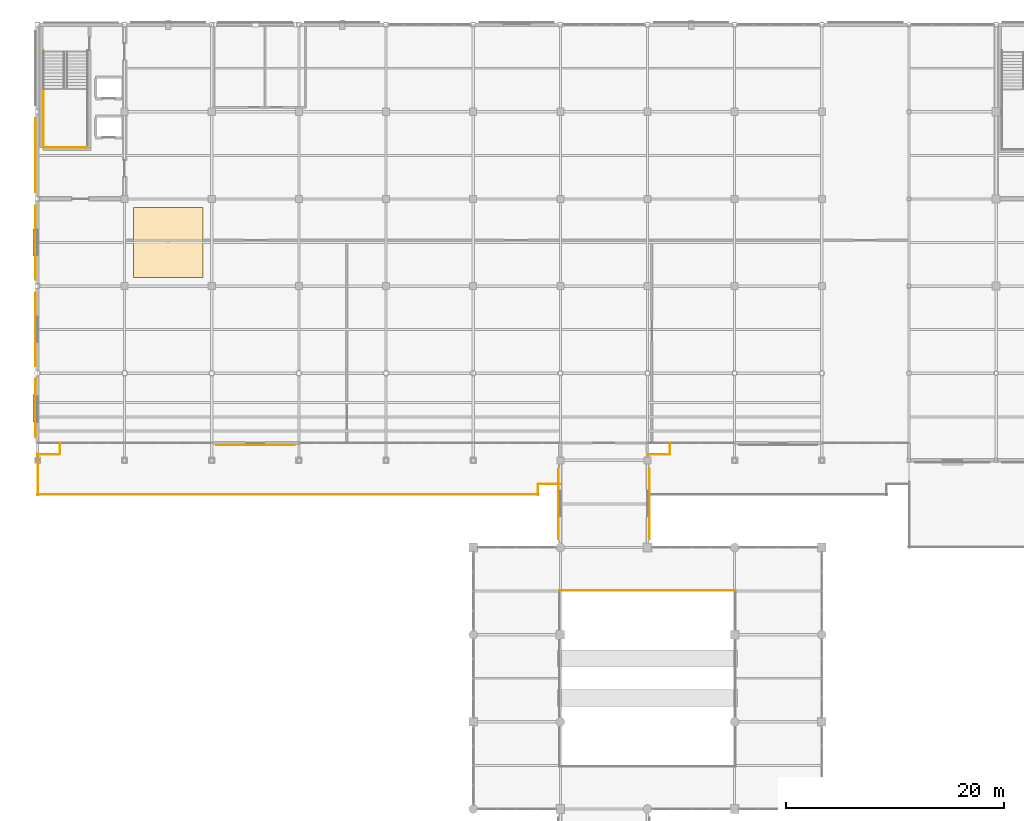
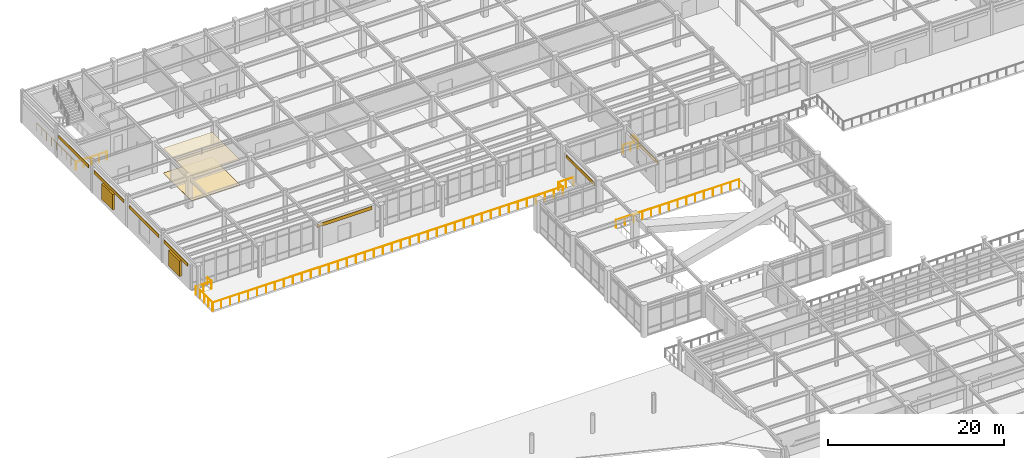
# One storey, part 104 of 111: 11 railings, 9 coverings, 2 shading devices.
"""IFC4 building model written with IfcOpenShell, lengths in metres."""

from ifc_helpers import new_model, si_unit, direction, frame, origin, origin_2d, place, context, subcontext, project, spatial, polyline, rectangle, circle, outline, extrude, material, layer, layer_set, type_object, element, save


model = new_model("IFC4")

# Units and contexts
model_context = context("Model", 3, precision=1e-05, world=origin(), true_north=direction((0.0, 1.0)))
body_context = subcontext(model_context, "Body", "Model", "MODEL_VIEW")
ifc_project = project(units=[si_unit("LENGTHUNIT", "METRE"), si_unit("AREAUNIT", "SQUARE_METRE"), si_unit("VOLUMEUNIT", "CUBIC_METRE"), si_unit("PLANEANGLEUNIT", "RADIAN"), si_unit("MASSUNIT", "GRAM", prefix="KILO")], contexts=[model_context])

# Site, building, storey
site_placement = place(None, origin())
site = spatial("IfcSite", under=ifc_project, at=site_placement, CompositionType="ELEMENT")
building_placement = place(site_placement, origin())
building = spatial("IfcBuilding", under=site, at=building_placement, Name="Solmirada Galleria", CompositionType="ELEMENT")
storey_placement = place(building_placement, frame((0.0, 0.0, 10.39990234375)))
storey = spatial("IfcBuildingStorey", under=building, at=storey_placement, Name="L02", CompositionType="ELEMENT", Elevation=10.39990234375)

# Coverings
ifc_material_1 = material(Name="Perforated acoustic mineral-fibre ceiling")
ifc_layer_1 = layer(ifc_material_1, 0.02490234375)
ifc_layer_set_1 = layer_set([ifc_layer_1], Name="Perforated acoustic mineral-fibre ceiling")
covering_type_1 = type_object("IfcCoveringType", Name="COV-CEIL-ACOUST", PredefinedType="CEILING", material=ifc_layer_set_1)
covering_1_placement = place(storey_placement, frame((0.0, 0.0, 3.4501953125)))
element("IfcCovering", 1, at=covering_1_placement, inside=storey, type_object=covering_type_1, Name="Acoustic ceiling panel L02-1", PredefinedType="CEILING", context=body_context, shape_type="SweptSolid", body=[
    extrude(outline(polyline([(48.800048828125, 96.800048828125), (55.199951171875, 96.800048828125), (55.199951171875, 103.199951171875), (48.800048828125, 103.199951171875), (48.800048828125, 96.800048828125)])), origin(), (0.0, 0.0, 1.0), 0.02490234375),
])
ifc_material_2 = material(Name="Limestone cladding panels", Category="masonry")
ifc_layer_2 = layer(ifc_material_2, 0.044921875)
ifc_layer_set_2 = layer_set([ifc_layer_2], Name="Limestone cladding panels")
covering_type_2 = type_object("IfcCoveringType", Name="COV-CLAD-LIME", PredefinedType="CLADDING", material=ifc_layer_set_2)
covering_2_placement = place(storey_placement, frame((87.822509765625, 76.0, 2.990234375), z_axis=(0.0, 0.0, 1.0), x_axis=(0.0, 1.0, 0.0)))
element("IfcCovering", 2, at=covering_2_placement, inside=storey, type_object=covering_type_2, Name="Postmodern facade cladding L02-142", PredefinedType="CLADDING", context=body_context, shape_type="SweptSolid", body=[
    extrude(rectangle(XDim=6.47509765625, YDim=0.044921875, at=origin_2d()), origin(), (0.0, 0.0, 1.0), 0.4599609375),
])
covering_3_placement = place(storey_placement, frame((39.822509765625, 84.800048828125, 2.990234375), z_axis=(0.0, 0.0, 1.0), x_axis=(0.0, 1.0, 0.0)))
element("IfcCovering", 3, at=covering_3_placement, inside=storey, type_object=covering_type_2, Name="Postmodern facade cladding L02-144", PredefinedType="CLADDING", context=body_context, shape_type="SweptSolid", body=[
    extrude(rectangle(XDim=5.345947265625, YDim=0.044921875, at=origin_2d()), origin(), (0.0, 0.0, 1.0), 0.4599609375),
])
covering_4_placement = place(storey_placement, frame((39.822509765625, 100.0, 2.990234375), z_axis=(0.0, 0.0, 1.0), x_axis=(0.0, 1.0, 0.0)))
element("IfcCovering", 4, at=covering_4_placement, inside=storey, type_object=covering_type_2, Name="Postmodern facade cladding L02-146", PredefinedType="CLADDING", context=body_context, shape_type="SweptSolid", body=[
    extrude(rectangle(XDim=6.7939453125, YDim=0.044921875, at=origin_2d()), origin(), (0.0, 0.0, 1.0), 0.4599609375),
])
ifc_material_3 = material(Name="Glazed terracotta facade panels", Category="masonry")
ifc_layer_3 = layer(ifc_material_3, 0.0400390625)
ifc_layer_set_3 = layer_set([ifc_layer_3], Name="Glazed terracotta facade panels")
covering_type_3 = type_object("IfcCoveringType", Name="COV-CLAD-TERRA", PredefinedType="CLADDING", material=ifc_layer_set_3)
covering_5_placement = place(storey_placement, frame((60.0, 81.425048828125, 2.990234375), z_axis=(0.0, 0.0, 1.0), x_axis=(-1.0, 0.0, 0.0)))
element("IfcCovering", 5, at=covering_5_placement, inside=storey, type_object=covering_type_3, Name="Postmodern facade cladding L02-143", PredefinedType="CLADDING", context=body_context, shape_type="SweptSolid", body=[
    extrude(rectangle(XDim=7.199951171875, YDim=0.0400390625, at=origin_2d()), origin(), (0.0, 0.0, 1.0), 0.4599609375),
])
covering_6_placement = place(storey_placement, frame((39.824951171875, 92.0, 2.990234375), z_axis=(0.0, 0.0, 1.0), x_axis=(0.0, 1.0, 0.0)))
element("IfcCovering", 6, at=covering_6_placement, inside=storey, type_object=covering_type_3, Name="Postmodern facade cladding L02-145", PredefinedType="CLADDING", context=body_context, shape_type="SweptSolid", body=[
    extrude(rectangle(XDim=6.742919921875, YDim=0.0400390625, at=origin_2d()), origin(), (0.0, 0.0, 1.0), 0.4599609375),
])
covering_7_placement = place(storey_placement, frame((39.824951171875, 108.0, 2.990234375), z_axis=(0.0, 0.0, 1.0), x_axis=(0.0, 1.0, 0.0)))
element("IfcCovering", 7, at=covering_7_placement, inside=storey, type_object=covering_type_3, Name="Postmodern facade cladding L02-147", PredefinedType="CLADDING", context=body_context, shape_type="SweptSolid", body=[
    extrude(rectangle(XDim=6.7939453125, YDim=0.0400390625, at=origin_2d()), origin(), (0.0, 0.0, 1.0), 0.4599609375),
])
covering_8_placement = place(storey_placement, frame((96.175048828125, 76.0, 2.990234375), z_axis=(0.0, 0.0, 1.0), x_axis=(0.0, -1.0, 0.0)))
element("IfcCovering", 8, at=covering_8_placement, inside=storey, type_object=covering_type_3, Name="Postmodern facade cladding L02-170", PredefinedType="CLADDING", context=body_context, shape_type="SweptSolid", body=[
    extrude(rectangle(XDim=6.47509765625, YDim=0.0400390625, at=origin_2d()), origin(), (0.0, 0.0, 1.0), 0.4599609375),
])
ifc_material_4 = material(Name="Polished terrazzo and porcelain tile flooring")
ifc_layer_4 = layer(ifc_material_4, 0.030029296875)
ifc_layer_set_4 = layer_set([ifc_layer_4], Name="Polished terrazzo and porcelain tile flooring")
covering_type_4 = type_object("IfcCoveringType", Name="COV-FLOOR-TERRAZ", PredefinedType="FLOORING", material=ifc_layer_set_4)
covering_9_placement = place(storey_placement, origin())
element("IfcCovering", 9, at=covering_9_placement, inside=storey, type_object=covering_type_4, Name="Terrazzo floor finish L02-1", PredefinedType="FLOORING", context=body_context, shape_type="SweptSolid", body=[
    extrude(outline(polyline([(48.800048828125, 96.800048828125), (55.199951171875, 96.800048828125), (55.199951171875, 103.199951171875), (48.800048828125, 103.199951171875), (48.800048828125, 96.800048828125)])), origin(), (0.0, 0.0, 1.0), 0.030029296875),
])

# Railings
ifc_material_5 = material(Name="Tempered laminated glass and stainless-steel balustrade", Category="steel")
railing_type_1 = type_object("IfcRailingType", Name="RAIL-ATRIUM-BAL", PredefinedType="BALUSTRADE", material=ifc_material_5)
railing_1_placement = place(storey_placement, frame((87.919921875, 68.080078125, 0.0)))
element("IfcRailing", 10, at=railing_1_placement, inside=storey, type_object=railing_type_1, Name="Void balustrade ATRIUM L02-N", PredefinedType="BALUSTRADE", context=body_context, shape_type="SweptSolid", body=[
    extrude(circle(Radius=0.02392578125, at=origin_2d()), frame((0.0, 0.0, 1.09619140625), z_axis=(1.0, 0.0, 0.0), x_axis=(0.0, 1.0, 0.0)), (0.0, 0.0, 1.0), 16.16015625),
    extrude(circle(Radius=0.02099609375, at=origin_2d()), origin(), (0.0, 0.0, 1.0), 1.068115234375),
    extrude(circle(Radius=0.02099609375, at=origin_2d()), frame((1.154296875, 0.0, 0.0)), (0.0, 0.0, 1.0), 1.068115234375),
    extrude(circle(Radius=0.02099609375, at=origin_2d()), frame((2.30859375, 0.0, 0.0)), (0.0, 0.0, 1.0), 1.068115234375),
    extrude(circle(Radius=0.02099609375, at=origin_2d()), frame((3.462890625, 0.0, 0.0)), (0.0, 0.0, 1.0), 1.068115234375),
    extrude(circle(Radius=0.02099609375, at=origin_2d()), frame((4.6171875, 0.0, 0.0)), (0.0, 0.0, 1.0), 1.068115234375),
    extrude(circle(Radius=0.02099609375, at=origin_2d()), frame((5.771484375, 0.0, 0.0)), (0.0, 0.0, 1.0), 1.068115234375),
    extrude(circle(Radius=0.02099609375, at=origin_2d()), frame((6.92578125, 0.0, 0.0)), (0.0, 0.0, 1.0), 1.068115234375),
    extrude(circle(Radius=0.02099609375, at=origin_2d()), frame((8.080078125, 0.0, 0.0)), (0.0, 0.0, 1.0), 1.068115234375),
    extrude(circle(Radius=0.02099609375, at=origin_2d()), frame((9.234375, 0.0, 0.0)), (0.0, 0.0, 1.0), 1.068115234375),
    extrude(circle(Radius=0.02099609375, at=origin_2d()), frame((10.388671875, 0.0, 0.0)), (0.0, 0.0, 1.0), 1.068115234375),
    extrude(circle(Radius=0.02099609375, at=origin_2d()), frame((11.54296875, 0.0, 0.0)), (0.0, 0.0, 1.0), 1.068115234375),
    extrude(circle(Radius=0.02099609375, at=origin_2d()), frame((12.697265625, 0.0, 0.0)), (0.0, 0.0, 1.0), 1.068115234375),
    extrude(circle(Radius=0.02099609375, at=origin_2d()), frame((13.8515625, 0.0, 0.0)), (0.0, 0.0, 1.0), 1.068115234375),
    extrude(circle(Radius=0.02099609375, at=origin_2d()), frame((15.005859375, 0.0, 0.0)), (0.0, 0.0, 1.0), 1.068115234375),
    extrude(circle(Radius=0.02099609375, at=origin_2d()), frame((16.16015625, 0.0, 0.0)), (0.0, 0.0, 1.0), 1.068115234375),
])
ifc_material_6 = material(Name="Painted steel tubular railing", Category="steel")
railing_type_2 = type_object("IfcRailingType", Name="RAIL-STAIR-GUARD", PredefinedType="GUARDRAIL", material=ifc_material_6)
railing_2_placement = place(storey_placement, frame((44.610107421875, 108.739990234375, 0.0)))
element("IfcRailing", 11, at=railing_2_placement, inside=storey, type_object=railing_type_2, Name="Stair ST1 well edge guard L02-2", PredefinedType="GUARDRAIL", context=body_context, shape_type="SweptSolid", body=[
    extrude(circle(Radius=0.02392578125, at=origin_2d()), frame((0.0, 0.0, 1.09619140625), z_axis=(-1.0, 0.0, 0.0), x_axis=(0.0, -1.0, 0.0)), (0.0, 0.0, 1.0), 4.070068359375),
    extrude(circle(Radius=0.02099609375, at=origin_2d()), origin(), (0.0, 0.0, 1.0), 1.068115234375),
    extrude(circle(Radius=0.02099609375, at=origin_2d()), frame((-1.017578125, 0.0, 0.0)), (0.0, 0.0, 1.0), 1.068115234375),
    extrude(circle(Radius=0.02099609375, at=origin_2d()), frame((-2.03515625, 0.0, 0.0)), (0.0, 0.0, 1.0), 1.068115234375),
    extrude(circle(Radius=0.02099609375, at=origin_2d()), frame((-3.052490234375, 0.0, 0.0)), (0.0, 0.0, 1.0), 1.068115234375),
    extrude(circle(Radius=0.02099609375, at=origin_2d()), frame((-4.070068359375, 0.0, 0.0)), (0.0, 0.0, 1.0), 1.068115234375),
])
railing_3_placement = place(storey_placement, frame((40.5400390625, 108.739990234375, 0.0)))
element("IfcRailing", 12, at=railing_3_placement, inside=storey, type_object=railing_type_2, Name="Stair ST1 well edge guard L02-3", PredefinedType="GUARDRAIL", context=body_context, shape_type="SweptSolid", body=[
    extrude(circle(Radius=0.02392578125, at=origin_2d()), frame((0.0, 0.0, 1.09619140625), z_axis=(0.0, 1.0, 0.0), x_axis=(-1.0, 0.0, 0.0)), (0.0, 0.0, 1.0), 8.909912109375),
    extrude(circle(Radius=0.02099609375, at=origin_2d()), origin(), (0.0, 0.0, 1.0), 1.068115234375),
    extrude(circle(Radius=0.02099609375, at=origin_2d()), frame((0.0, 1.11376953125, 0.0)), (0.0, 0.0, 1.0), 1.068115234375),
    extrude(circle(Radius=0.02099609375, at=origin_2d()), frame((0.0, 2.2275390625, 0.0)), (0.0, 0.0, 1.0), 1.068115234375),
    extrude(circle(Radius=0.02099609375, at=origin_2d()), frame((0.0, 3.34130859375, 0.0)), (0.0, 0.0, 1.0), 1.068115234375),
    extrude(circle(Radius=0.02099609375, at=origin_2d()), frame((0.0, 4.455078125, 0.0)), (0.0, 0.0, 1.0), 1.068115234375),
    extrude(circle(Radius=0.02099609375, at=origin_2d()), frame((0.0, 5.568603515625, 0.0)), (0.0, 0.0, 1.0), 1.068115234375),
    extrude(circle(Radius=0.02099609375, at=origin_2d()), frame((0.0, 6.682373046875, 0.0)), (0.0, 0.0, 1.0), 1.068115234375),
    extrude(circle(Radius=0.02099609375, at=origin_2d()), frame((0.0, 7.796142578125, 0.0)), (0.0, 0.0, 1.0), 1.068115234375),
    extrude(circle(Radius=0.02099609375, at=origin_2d()), frame((0.0, 8.909912109375, 0.0)), (0.0, 0.0, 1.0), 1.068115234375),
])
ifc_material_7 = material(Name="Painted galvanized steel balustrade", Category="steel")
railing_type_3 = type_object("IfcRailingType", Name="RAIL-TERR-1100", PredefinedType="GUARDRAIL", material=ifc_material_7)
railing_4_placement = place(storey_placement, frame((40.0, 76.85009765625, 0.0)))
element("IfcRailing", 13, at=railing_4_placement, inside=storey, type_object=railing_type_3, Name="Terrace guardrail L02-TERR-NW E1.1", PredefinedType="GUARDRAIL", context=body_context, shape_type="SweptSolid", body=[
    extrude(circle(Radius=0.02392578125, at=origin_2d()), frame((0.0, 0.0, 1.09619140625), z_axis=(1.0, 0.0, 0.0), x_axis=(0.0, 1.0, 0.0)), (0.0, 0.0, 1.0), 46.0),
    extrude(circle(Radius=0.02099609375, at=origin_2d()), origin(), (0.0, 0.0, 1.0), 1.068115234375),
    extrude(circle(Radius=0.02099609375, at=origin_2d()), frame((1.179443359375, 0.0, 0.0)), (0.0, 0.0, 1.0), 1.068115234375),
    extrude(circle(Radius=0.02099609375, at=origin_2d()), frame((2.35888671875, 0.0, 0.0)), (0.0, 0.0, 1.0), 1.068115234375),
    extrude(circle(Radius=0.02099609375, at=origin_2d()), frame((3.53857421875, 0.0, 0.0)), (0.0, 0.0, 1.0), 1.068115234375),
    extrude(circle(Radius=0.02099609375, at=origin_2d()), frame((4.718017578125, 0.0, 0.0)), (0.0, 0.0, 1.0), 1.068115234375),
    extrude(circle(Radius=0.02099609375, at=origin_2d()), frame((5.8974609375, 0.0, 0.0)), (0.0, 0.0, 1.0), 1.068115234375),
    extrude(circle(Radius=0.02099609375, at=origin_2d()), frame((7.076904296875, 0.0, 0.0)), (0.0, 0.0, 1.0), 1.068115234375),
    extrude(circle(Radius=0.02099609375, at=origin_2d()), frame((8.25634765625, 0.0, 0.0)), (0.0, 0.0, 1.0), 1.068115234375),
    extrude(circle(Radius=0.02099609375, at=origin_2d()), frame((9.435791015625, 0.0, 0.0)), (0.0, 0.0, 1.0), 1.068115234375),
    extrude(circle(Radius=0.02099609375, at=origin_2d()), frame((10.615478515625, 0.0, 0.0)), (0.0, 0.0, 1.0), 1.068115234375),
    extrude(circle(Radius=0.02099609375, at=origin_2d()), frame((11.794921875, 0.0, 0.0)), (0.0, 0.0, 1.0), 1.068115234375),
    extrude(circle(Radius=0.02099609375, at=origin_2d()), frame((12.974365234375, 0.0, 0.0)), (0.0, 0.0, 1.0), 1.068115234375),
    extrude(circle(Radius=0.02099609375, at=origin_2d()), frame((14.15380859375, 0.0, 0.0)), (0.0, 0.0, 1.0), 1.068115234375),
    extrude(circle(Radius=0.02099609375, at=origin_2d()), frame((15.333251953125, 0.0, 0.0)), (0.0, 0.0, 1.0), 1.068115234375),
    extrude(circle(Radius=0.02099609375, at=origin_2d()), frame((16.512939453125, 0.0, 0.0)), (0.0, 0.0, 1.0), 1.068115234375),
    extrude(circle(Radius=0.02099609375, at=origin_2d()), frame((17.6923828125, 0.0, 0.0)), (0.0, 0.0, 1.0), 1.068115234375),
    extrude(circle(Radius=0.02099609375, at=origin_2d()), frame((18.871826171875, 0.0, 0.0)), (0.0, 0.0, 1.0), 1.068115234375),
    extrude(circle(Radius=0.02099609375, at=origin_2d()), frame((20.05126953125, 0.0, 0.0)), (0.0, 0.0, 1.0), 1.068115234375),
    extrude(circle(Radius=0.02099609375, at=origin_2d()), frame((21.230712890625, 0.0, 0.0)), (0.0, 0.0, 1.0), 1.068115234375),
    extrude(circle(Radius=0.02099609375, at=origin_2d()), frame((22.41015625, 0.0, 0.0)), (0.0, 0.0, 1.0), 1.068115234375),
    extrude(circle(Radius=0.02099609375, at=origin_2d()), frame((23.58984375, 0.0, 0.0)), (0.0, 0.0, 1.0), 1.068115234375),
    extrude(circle(Radius=0.02099609375, at=origin_2d()), frame((24.769287109375, 0.0, 0.0)), (0.0, 0.0, 1.0), 1.068115234375),
    extrude(circle(Radius=0.02099609375, at=origin_2d()), frame((25.94873046875, 0.0, 0.0)), (0.0, 0.0, 1.0), 1.068115234375),
    extrude(circle(Radius=0.02099609375, at=origin_2d()), frame((27.128173828125, 0.0, 0.0)), (0.0, 0.0, 1.0), 1.068115234375),
    extrude(circle(Radius=0.02099609375, at=origin_2d()), frame((28.3076171875, 0.0, 0.0)), (0.0, 0.0, 1.0), 1.068115234375),
    extrude(circle(Radius=0.02099609375, at=origin_2d()), frame((29.487060546875, 0.0, 0.0)), (0.0, 0.0, 1.0), 1.068115234375),
    extrude(circle(Radius=0.02099609375, at=origin_2d()), frame((30.666748046875, 0.0, 0.0)), (0.0, 0.0, 1.0), 1.068115234375),
    extrude(circle(Radius=0.02099609375, at=origin_2d()), frame((31.84619140625, 0.0, 0.0)), (0.0, 0.0, 1.0), 1.068115234375),
    extrude(circle(Radius=0.02099609375, at=origin_2d()), frame((33.025634765625, 0.0, 0.0)), (0.0, 0.0, 1.0), 1.068115234375),
    extrude(circle(Radius=0.02099609375, at=origin_2d()), frame((34.205078125, 0.0, 0.0)), (0.0, 0.0, 1.0), 1.068115234375),
    extrude(circle(Radius=0.02099609375, at=origin_2d()), frame((35.384521484375, 0.0, 0.0)), (0.0, 0.0, 1.0), 1.068115234375),
    extrude(circle(Radius=0.02099609375, at=origin_2d()), frame((36.564208984375, 0.0, 0.0)), (0.0, 0.0, 1.0), 1.068115234375),
    extrude(circle(Radius=0.02099609375, at=origin_2d()), frame((37.74365234375, 0.0, 0.0)), (0.0, 0.0, 1.0), 1.068115234375),
    extrude(circle(Radius=0.02099609375, at=origin_2d()), frame((38.923095703125, 0.0, 0.0)), (0.0, 0.0, 1.0), 1.068115234375),
    extrude(circle(Radius=0.02099609375, at=origin_2d()), frame((40.1025390625, 0.0, 0.0)), (0.0, 0.0, 1.0), 1.068115234375),
    extrude(circle(Radius=0.02099609375, at=origin_2d()), frame((41.281982421875, 0.0, 0.0)), (0.0, 0.0, 1.0), 1.068115234375),
    extrude(circle(Radius=0.02099609375, at=origin_2d()), frame((42.46142578125, 0.0, 0.0)), (0.0, 0.0, 1.0), 1.068115234375),
    extrude(circle(Radius=0.02099609375, at=origin_2d()), frame((43.64111328125, 0.0, 0.0)), (0.0, 0.0, 1.0), 1.068115234375),
    extrude(circle(Radius=0.02099609375, at=origin_2d()), frame((44.820556640625, 0.0, 0.0)), (0.0, 0.0, 1.0), 1.068115234375),
    extrude(circle(Radius=0.02099609375, at=origin_2d()), frame((46.0, 0.0, 0.0)), (0.0, 0.0, 1.0), 1.068115234375),
])
railing_5_placement = place(storey_placement, frame((85.949951171875, 76.800048828125, 0.0)))
element("IfcRailing", 14, at=railing_5_placement, inside=storey, type_object=railing_type_3, Name="Terrace guardrail L02-TERR-NW E2.1", PredefinedType="GUARDRAIL", context=body_context, shape_type="SweptSolid", body=[
    extrude(circle(Radius=0.02392578125, at=origin_2d()), frame((0.0, 0.0, 1.09619140625), z_axis=(0.0, 1.0, 0.0), x_axis=(-1.0, 0.0, 0.0)), (0.0, 0.0, 1.0), 1.0),
    extrude(circle(Radius=0.02099609375, at=origin_2d()), origin(), (0.0, 0.0, 1.0), 1.068115234375),
    extrude(circle(Radius=0.02099609375, at=origin_2d()), frame((0.0, 1.0, 0.0)), (0.0, 0.0, 1.0), 1.068115234375),
])
railing_6_placement = place(storey_placement, frame((86.0, 77.85009765625, 0.0)))
element("IfcRailing", 15, at=railing_6_placement, inside=storey, type_object=railing_type_3, Name="Terrace guardrail L02-TERR-NW E3.1", PredefinedType="GUARDRAIL", context=body_context, shape_type="SweptSolid", body=[
    extrude(circle(Radius=0.02392578125, at=origin_2d()), frame((0.0, 0.0, 1.09619140625), z_axis=(1.0, 0.0, 0.0), x_axis=(0.0, 1.0, 0.0)), (0.0, 0.0, 1.0), 2.0),
    extrude(circle(Radius=0.02099609375, at=origin_2d()), origin(), (0.0, 0.0, 1.0), 1.068115234375),
    extrude(circle(Radius=0.02099609375, at=origin_2d()), frame((1.0, 0.0, 0.0)), (0.0, 0.0, 1.0), 1.068115234375),
    extrude(circle(Radius=0.02099609375, at=origin_2d()), frame((2.0, 0.0, 0.0)), (0.0, 0.0, 1.0), 1.068115234375),
])
railing_7_placement = place(storey_placement, frame((42.050048828125, 81.60009765625, 0.0)))
element("IfcRailing", 16, at=railing_7_placement, inside=storey, type_object=railing_type_3, Name="Terrace guardrail L02-TERR-NW E6.1", PredefinedType="GUARDRAIL", context=body_context, shape_type="SweptSolid", body=[
    extrude(circle(Radius=0.02392578125, at=origin_2d()), frame((0.0, 0.0, 1.09619140625), z_axis=(0.0, -1.0, 0.0), x_axis=(1.0, 0.0, 0.0)), (0.0, 0.0, 1.0), 1.0),
    extrude(circle(Radius=0.02099609375, at=origin_2d()), origin(), (0.0, 0.0, 1.0), 1.068115234375),
    extrude(circle(Radius=0.02099609375, at=origin_2d()), frame((0.0, -1.0, 0.0)), (0.0, 0.0, 1.0), 1.068115234375),
])
railing_8_placement = place(storey_placement, frame((42.0, 80.550048828125, 0.0)))
element("IfcRailing", 17, at=railing_8_placement, inside=storey, type_object=railing_type_3, Name="Terrace guardrail L02-TERR-NW E7.1", PredefinedType="GUARDRAIL", context=body_context, shape_type="SweptSolid", body=[
    extrude(circle(Radius=0.02392578125, at=origin_2d()), frame((0.0, 0.0, 1.09619140625), z_axis=(-1.0, 0.0, 0.0), x_axis=(0.0, -1.0, 0.0)), (0.0, 0.0, 1.0), 2.0),
    extrude(circle(Radius=0.02099609375, at=origin_2d()), origin(), (0.0, 0.0, 1.0), 1.068115234375),
    extrude(circle(Radius=0.02099609375, at=origin_2d()), frame((-1.0, 0.0, 0.0)), (0.0, 0.0, 1.0), 1.068115234375),
    extrude(circle(Radius=0.02099609375, at=origin_2d()), frame((-2.0, 0.0, 0.0)), (0.0, 0.0, 1.0), 1.068115234375),
])
railing_9_placement = place(storey_placement, frame((40.050048828125, 80.60009765625, 0.0)))
element("IfcRailing", 18, at=railing_9_placement, inside=storey, type_object=railing_type_3, Name="Terrace guardrail L02-TERR-NW E8.1", PredefinedType="GUARDRAIL", context=body_context, shape_type="SweptSolid", body=[
    extrude(circle(Radius=0.02392578125, at=origin_2d()), frame((0.0, 0.0, 1.09619140625), z_axis=(0.0, -1.0, 0.0), x_axis=(1.0, 0.0, 0.0)), (0.0, 0.0, 1.0), 3.800048828125),
    extrude(circle(Radius=0.02099609375, at=origin_2d()), origin(), (0.0, 0.0, 1.0), 1.068115234375),
    extrude(circle(Radius=0.02099609375, at=origin_2d()), frame((0.0, -0.949951171875, 0.0)), (0.0, 0.0, 1.0), 1.068115234375),
    extrude(circle(Radius=0.02099609375, at=origin_2d()), frame((0.0, -1.89990234375, 0.0)), (0.0, 0.0, 1.0), 1.068115234375),
    extrude(circle(Radius=0.02099609375, at=origin_2d()), frame((0.0, -2.85009765625, 0.0)), (0.0, 0.0, 1.0), 1.068115234375),
    extrude(circle(Radius=0.02099609375, at=origin_2d()), frame((0.0, -3.800048828125, 0.0)), (0.0, 0.0, 1.0), 1.068115234375),
])
railing_10_placement = place(storey_placement, frame((98.050048828125, 81.60009765625, 0.0)))
element("IfcRailing", 19, at=railing_10_placement, inside=storey, type_object=railing_type_3, Name="Terrace guardrail L02-TERR-NE E6.1", PredefinedType="GUARDRAIL", context=body_context, shape_type="SweptSolid", body=[
    extrude(circle(Radius=0.02392578125, at=origin_2d()), frame((0.0, 0.0, 1.09619140625), z_axis=(0.0, -1.0, 0.0), x_axis=(1.0, 0.0, 0.0)), (0.0, 0.0, 1.0), 1.0),
    extrude(circle(Radius=0.02099609375, at=origin_2d()), origin(), (0.0, 0.0, 1.0), 1.068115234375),
    extrude(circle(Radius=0.02099609375, at=origin_2d()), frame((0.0, -1.0, 0.0)), (0.0, 0.0, 1.0), 1.068115234375),
])
railing_11_placement = place(storey_placement, frame((98.0, 80.550048828125, 0.0)))
element("IfcRailing", 20, at=railing_11_placement, inside=storey, type_object=railing_type_3, Name="Terrace guardrail L02-TERR-NE E7.1", PredefinedType="GUARDRAIL", context=body_context, shape_type="SweptSolid", body=[
    extrude(circle(Radius=0.02392578125, at=origin_2d()), frame((0.0, 0.0, 1.09619140625), z_axis=(-1.0, 0.0, 0.0), x_axis=(0.0, -1.0, 0.0)), (0.0, 0.0, 1.0), 2.0),
    extrude(circle(Radius=0.02099609375, at=origin_2d()), origin(), (0.0, 0.0, 1.0), 1.068115234375),
    extrude(circle(Radius=0.02099609375, at=origin_2d()), frame((-1.0, 0.0, 0.0)), (0.0, 0.0, 1.0), 1.068115234375),
    extrude(circle(Radius=0.02099609375, at=origin_2d()), frame((-2.0, 0.0, 0.0)), (0.0, 0.0, 1.0), 1.068115234375),
])

# Shading devices
ifc_material_8 = material(Name="Extruded aluminium storm louvres", Category="aluminium")
shading_device_type = type_object("IfcShadingDeviceType", Name="SHD-JALOUSIE", PredefinedType="JALOUSIE", material=ifc_material_8)
for number, where, z_axis, x_axis, name in (
    (21, (39.715087890625, 84.800048828125, 0.800048828125), (0.0, 0.0, 1.0), (0.0, 1.0, 0.0), "Hurricane storm jalousie louvre 056"),
    (22, (39.715087890625, 100.0, 0.800048828125), (0.0, 0.0, 1.0), (0.0, 1.0, 0.0), "Hurricane storm jalousie louvre 057"),
):
    element("IfcShadingDevice", number, at=place(storey_placement, frame(where, z_axis=z_axis, x_axis=x_axis)), inside=storey, type_object=shading_device_type, Name=name, PredefinedType="JALOUSIE", context=body_context, shape_type="SweptSolid", body=[
        extrude(rectangle(XDim=2.510009765625, YDim=0.260009765625, at=origin_2d()), origin(), (0.0, 0.0, 1.0), 2.14990234375),
    ])

save(model, "model.ifc")
